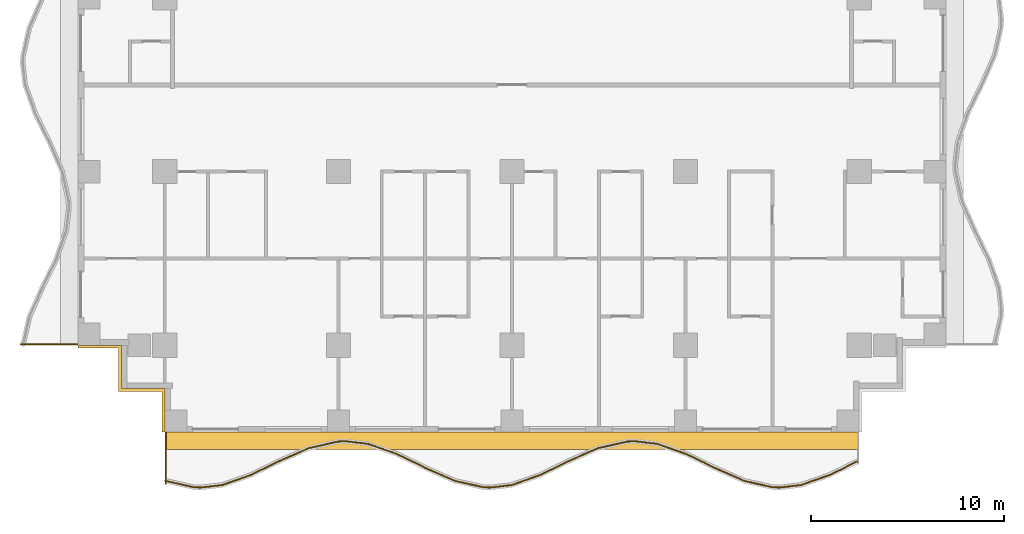
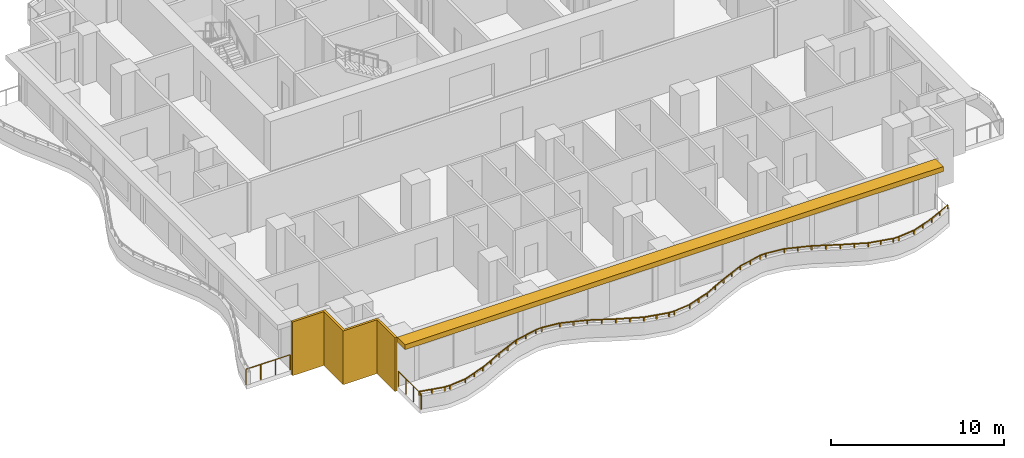
# One storey, part 7 of 10: 3 railings, 2 shading devices.
"""IFC4 building model written with IfcOpenShell, lengths in metres."""

from ifc_helpers import new_model, si_unit, direction, frame, origin, origin_2d, place, context, subcontext, project, spatial, polyline, rectangle, outline, extrude, material, layer, layer_set, type_object, element, save


model = new_model("IFC4")

# Units and contexts
model_context = context("Model", 3, precision=1e-05, world=origin(), true_north=direction((0.0, 1.0)))
body_context = subcontext(model_context, "Body", "Model", "MODEL_VIEW")
ifc_project = project(units=[si_unit("LENGTHUNIT", "METRE"), si_unit("AREAUNIT", "SQUARE_METRE"), si_unit("VOLUMEUNIT", "CUBIC_METRE"), si_unit("PLANEANGLEUNIT", "RADIAN"), si_unit("MASSUNIT", "GRAM", prefix="KILO")], contexts=[model_context])

# Site, building, storey
site_placement = place(None, origin())
site = spatial("IfcSite", under=ifc_project, at=site_placement, CompositionType="ELEMENT")
building_placement = place(site_placement, origin())
building = spatial("IfcBuilding", under=site, at=building_placement, Name="Orbiselva Terraces", CompositionType="ELEMENT")
storey_placement = place(building_placement, frame((0.0, 0.0, 147.8)))
storey = spatial("IfcBuildingStorey", under=building, at=storey_placement, Name="L37", CompositionType="ELEMENT", Elevation=147.8)

# Railings
ifc_material_1 = material(Name="Bonded two-ply safety glass balustrade, stainless steel posts", Category="steel")
railing_type_1 = type_object("IfcRailingType", Name="ENV-BALUSTRADE-1200", PredefinedType="BALUSTRADE", material=ifc_material_1)
railing_1_placement = place(storey_placement, frame((-17.972623, -20.526563, 0.9)))
element("IfcRailing", 1, at=railing_1_placement, inside=storey, type_object=railing_type_1, Name="Balcony balustrade L37 S", PredefinedType="BALUSTRADE", context=body_context, shape_type="SweptSolid", body=[
    extrude(outline(polyline([(0.028868, 0.0), (0.014434, 0.025), (-0.014434, 0.025), (-0.028868, 0.0), (-0.014434, -0.025), (0.014434, -0.025), (0.028868, 0.0)])), frame((0.0, 0.0, 0.275), z_axis=(0.975721322437, -0.21901575501, 0.0), x_axis=(0.21901575501, 0.975721322437, 0.0)), (0.0, 0.0, 1.0), 1.525954),
    extrude(outline(polyline([(0.028868, 0.0), (0.014434, 0.025), (-0.014434, 0.025), (-0.028868, 0.0), (-0.014434, -0.025), (0.014434, -0.025), (0.028868, 0.0)])), frame((1.488906, -0.334208, 0.275), z_axis=(0.999224931454, -0.039364150694, 0.0), x_axis=(0.039364150694, 0.999224931454, 0.0)), (0.0, 0.0, 1.0), 0.354206),
    extrude(outline(polyline([(0.028868, 0.0), (0.014434, 0.025), (-0.014434, 0.025), (-0.028868, 0.0), (-0.014434, -0.025), (0.014434, -0.025), (0.028868, 0.0)])), frame((1.842837, -0.348151, 0.275), z_axis=(0.993309658409, 0.115481264762, 0.0), x_axis=(-0.115481264762, 0.993309658409, 0.0)), (0.0, 0.0, 1.0), 1.10902),
    extrude(outline(polyline([(0.028868, 0.0), (0.014434, 0.025), (-0.014434, 0.025), (-0.028868, 0.0), (-0.014434, -0.025), (0.014434, -0.025), (0.028868, 0.0)])), frame((2.944437, -0.22008, 0.275), z_axis=(0.943972277814, 0.330024754707, 0.0), x_axis=(-0.330024754707, 0.943972277814, 0.0)), (0.0, 0.0, 1.0), 1.567807),
    extrude(outline(polyline([(0.028868, 0.0), (0.014434, 0.025), (-0.014434, 0.025), (-0.028868, 0.0), (-0.014434, -0.025), (0.014434, -0.025), (0.028868, 0.0)])), frame((4.424403, 0.297335, 0.275), z_axis=(0.89857890432, 0.438811978768, 0.0), x_axis=(-0.438811978768, 0.89857890432, 0.0)), (0.0, 0.0, 1.0), 1.66438),
    extrude(outline(polyline([(0.028868, 0.0), (0.014434, 0.025), (-0.014434, 0.025), (-0.028868, 0.0), (-0.014434, -0.025), (0.014434, -0.025), (0.028868, 0.0)])), frame((5.91998, 1.027685, 0.275), z_axis=(0.915133527237, 0.403150874148, 0.0), x_axis=(-0.403150874148, 0.915133527237, 0.0)), (0.0, 0.0, 1.0), 1.653736),
    extrude(outline(polyline([(0.028868, 0.0), (0.014434, 0.025), (-0.014434, 0.025), (-0.028868, 0.0), (-0.014434, -0.025), (0.014434, -0.025), (0.028868, 0.0)])), frame((7.433369, 1.69439, 0.275), z_axis=(0.97572137947, 0.219015500924, 0.0), x_axis=(-0.219015500924, 0.97572137947, 0.0)), (0.0, 0.0, 1.0), 1.560867),
    extrude(outline(polyline([(0.028868, 0.0), (0.014434, 0.025), (-0.014434, 0.025), (-0.028868, 0.0), (-0.014434, -0.025), (0.014434, -0.025), (0.028868, 0.0)])), frame((8.95634, 2.036244, 0.275), z_axis=(0.999224734286, 0.03936915532, 0.0), x_axis=(-0.03936915532, 0.999224734286, 0.0)), (0.0, 0.0, 1.0), 0.396376),
    extrude(outline(polyline([(0.028868, 0.0), (0.014434, 0.025), (-0.014434, 0.025), (-0.028868, 0.0), (-0.014434, -0.025), (0.014434, -0.025), (0.028868, 0.0)])), frame((9.352409, 2.051849, 0.275), z_axis=(0.993309551734, -0.115482182324, 0.0), x_axis=(0.115482182324, 0.993309551734, 0.0)), (0.0, 0.0, 1.0), 1.156135),
    extrude(outline(polyline([(0.028868, 0.0), (0.014434, 0.025), (-0.014434, 0.025), (-0.028868, 0.0), (-0.014434, -0.025), (0.014434, -0.025), (0.028868, 0.0)])), frame((10.500809, 1.918336, 0.275), z_axis=(0.943972332783, -0.330024597479, 0.0), x_axis=(0.330024597479, 0.943972332783, 0.0)), (0.0, 0.0, 1.0), 1.610253),
    extrude(outline(polyline([(0.028868, 0.0), (0.014434, 0.025), (-0.014434, 0.025), (-0.028868, 0.0), (-0.014434, -0.025), (0.014434, -0.025), (0.028868, 0.0)])), frame((12.020843, 1.386913, 0.275), z_axis=(0.898578870221, -0.438812048596, 0.0), x_axis=(0.438812048596, 0.898578870221, 0.0)), (0.0, 0.0, 1.0), 1.674225),
    extrude(outline(polyline([(0.028868, 0.0), (0.014434, 0.025), (-0.014434, 0.025), (-0.028868, 0.0), (-0.014434, -0.025), (0.014434, -0.025), (0.028868, 0.0)])), frame((13.525266, 0.652243, 0.275), z_axis=(0.915133363686, -0.403151245402, 0.0), x_axis=(0.403151245402, 0.915133363686, 0.0)), (0.0, 0.0, 1.0), 1.624475),
    extrude(outline(polyline([(0.028868, 0.0), (0.014434, 0.025), (-0.014434, 0.025), (-0.028868, 0.0), (-0.014434, -0.025), (0.014434, -0.025), (0.028868, 0.0)])), frame((15.011877, -0.002666, 0.275), z_axis=(0.975721325753, -0.219015740235, 0.0), x_axis=(0.219015740235, 0.975721325753, 0.0)), (0.0, 0.0, 1.0), 1.513782),
    extrude(outline(polyline([(0.028868, 0.0), (0.014434, 0.025), (-0.014434, 0.025), (-0.028868, 0.0), (-0.014434, -0.025), (0.014434, -0.025), (0.028868, 0.0)])), frame((16.488906, -0.334208, 0.275), z_axis=(0.999224931454, -0.039364150694, 0.0), x_axis=(0.039364150694, 0.999224931454, 0.0)), (0.0, 0.0, 1.0), 0.354206),
    extrude(outline(polyline([(0.028868, 0.0), (0.014434, 0.025), (-0.014434, 0.025), (-0.028868, 0.0), (-0.014434, -0.025), (0.014434, -0.025), (0.028868, 0.0)])), frame((16.842837, -0.348151, 0.275), z_axis=(0.993309658409, 0.115481264762, 0.0), x_axis=(-0.115481264762, 0.993309658409, 0.0)), (0.0, 0.0, 1.0), 1.10902),
    extrude(outline(polyline([(0.028868, 0.0), (0.014434, 0.025), (-0.014434, 0.025), (-0.028868, 0.0), (-0.014434, -0.025), (0.014434, -0.025), (0.028868, 0.0)])), frame((17.944437, -0.22008, 0.275), z_axis=(0.943972277814, 0.330024754707, 0.0), x_axis=(-0.330024754707, 0.943972277814, 0.0)), (0.0, 0.0, 1.0), 1.567807),
    extrude(outline(polyline([(0.028868, 0.0), (0.014434, 0.025), (-0.014434, 0.025), (-0.028868, 0.0), (-0.014434, -0.025), (0.014434, -0.025), (0.028868, 0.0)])), frame((19.424403, 0.297335, 0.275), z_axis=(0.89857890432, 0.438811978768, 0.0), x_axis=(-0.438811978768, 0.89857890432, 0.0)), (0.0, 0.0, 1.0), 1.66438),
    extrude(outline(polyline([(0.028868, 0.0), (0.014434, 0.025), (-0.014434, 0.025), (-0.028868, 0.0), (-0.014434, -0.025), (0.014434, -0.025), (0.028868, 0.0)])), frame((20.91998, 1.027685, 0.275), z_axis=(0.915133527237, 0.403150874148, 0.0), x_axis=(-0.403150874148, 0.915133527237, 0.0)), (0.0, 0.0, 1.0), 1.653736),
    extrude(outline(polyline([(0.028868, 0.0), (0.014434, 0.025), (-0.014434, 0.025), (-0.028868, 0.0), (-0.014434, -0.025), (0.014434, -0.025), (0.028868, 0.0)])), frame((22.433369, 1.69439, 0.275), z_axis=(0.97572137947, 0.219015500924, 0.0), x_axis=(-0.219015500924, 0.97572137947, 0.0)), (0.0, 0.0, 1.0), 1.560867),
    extrude(outline(polyline([(0.028868, 0.0), (0.014434, 0.025), (-0.014434, 0.025), (-0.028868, 0.0), (-0.014434, -0.025), (0.014434, -0.025), (0.028868, 0.0)])), frame((23.95634, 2.036244, 0.275), z_axis=(0.999224734286, 0.03936915532, 0.0), x_axis=(-0.03936915532, 0.999224734286, 0.0)), (0.0, 0.0, 1.0), 0.396376),
    extrude(outline(polyline([(0.028868, 0.0), (0.014434, 0.025), (-0.014434, 0.025), (-0.028868, 0.0), (-0.014434, -0.025), (0.014434, -0.025), (0.028868, 0.0)])), frame((24.352409, 2.051849, 0.275), z_axis=(0.993309551734, -0.115482182324, 0.0), x_axis=(0.115482182324, 0.993309551734, 0.0)), (0.0, 0.0, 1.0), 1.156135),
    extrude(outline(polyline([(0.028868, 0.0), (0.014434, 0.025), (-0.014434, 0.025), (-0.028868, 0.0), (-0.014434, -0.025), (0.014434, -0.025), (0.028868, 0.0)])), frame((25.500809, 1.918336, 0.275), z_axis=(0.943972332783, -0.330024597479, 0.0), x_axis=(0.330024597479, 0.943972332783, 0.0)), (0.0, 0.0, 1.0), 1.610253),
    extrude(outline(polyline([(0.028868, 0.0), (0.014434, 0.025), (-0.014434, 0.025), (-0.028868, 0.0), (-0.014434, -0.025), (0.014434, -0.025), (0.028868, 0.0)])), frame((27.020843, 1.386913, 0.275), z_axis=(0.898578870221, -0.438812048596, 0.0), x_axis=(0.438812048596, 0.898578870221, 0.0)), (0.0, 0.0, 1.0), 1.674225),
    extrude(outline(polyline([(0.028868, 0.0), (0.014434, 0.025), (-0.014434, 0.025), (-0.028868, 0.0), (-0.014434, -0.025), (0.014434, -0.025), (0.028868, 0.0)])), frame((28.525266, 0.652243, 0.275), z_axis=(0.915133363686, -0.403151245402, 0.0), x_axis=(0.403151245402, 0.915133363686, 0.0)), (0.0, 0.0, 1.0), 1.624475),
    extrude(outline(polyline([(0.028868, 0.0), (0.014434, 0.025), (-0.014434, 0.025), (-0.028868, 0.0), (-0.014434, -0.025), (0.014434, -0.025), (0.028868, 0.0)])), frame((30.011877, -0.002666, 0.275), z_axis=(0.975721325753, -0.219015740235, 0.0), x_axis=(0.219015740235, 0.975721325753, 0.0)), (0.0, 0.0, 1.0), 1.513782),
    extrude(outline(polyline([(0.028868, 0.0), (0.014434, 0.025), (-0.014434, 0.025), (-0.028868, 0.0), (-0.014434, -0.025), (0.014434, -0.025), (0.028868, 0.0)])), frame((31.488906, -0.334208, 0.275), z_axis=(0.999224931454, -0.039364150694, 0.0), x_axis=(0.039364150694, 0.999224931454, 0.0)), (0.0, 0.0, 1.0), 0.354206),
    extrude(outline(polyline([(0.028868, 0.0), (0.014434, 0.025), (-0.014434, 0.025), (-0.028868, 0.0), (-0.014434, -0.025), (0.014434, -0.025), (0.028868, 0.0)])), frame((31.842837, -0.348151, 0.275), z_axis=(0.993309658409, 0.115481264762, 0.0), x_axis=(-0.115481264762, 0.993309658409, 0.0)), (0.0, 0.0, 1.0), 1.10902),
    extrude(outline(polyline([(0.028868, 0.0), (0.014434, 0.025), (-0.014434, 0.025), (-0.028868, 0.0), (-0.014434, -0.025), (0.014434, -0.025), (0.028868, 0.0)])), frame((32.944437, -0.22008, 0.275), z_axis=(0.943972277814, 0.330024754707, 0.0), x_axis=(-0.330024754707, 0.943972277814, 0.0)), (0.0, 0.0, 1.0), 1.567807),
    extrude(outline(polyline([(0.028868, 0.0), (0.014434, 0.025), (-0.014434, 0.025), (-0.028868, 0.0), (-0.014434, -0.025), (0.014434, -0.025), (0.028868, 0.0)])), frame((34.424403, 0.297335, 0.275), z_axis=(0.898578965307, 0.438811853882, 0.0), x_axis=(-0.438811853882, 0.898578965307, 0.0)), (0.0, 0.0, 1.0), 1.661922),
    extrude(rectangle(XDim=0.05, YDim=0.05, at=origin_2d()), origin(), (0.0, 0.0, 1.0), 0.25),
    extrude(rectangle(XDim=0.05, YDim=0.05, at=origin_2d()), frame((0.744453, -0.167104, 0.0)), (0.0, 0.0, 1.0), 0.25),
    extrude(rectangle(XDim=0.05, YDim=0.05, at=origin_2d()), frame((1.488906, -0.334208, 0.0)), (0.0, 0.0, 1.0), 0.25),
    extrude(rectangle(XDim=0.05, YDim=0.05, at=origin_2d()), frame((1.842837, -0.348151, 0.0)), (0.0, 0.0, 1.0), 0.25),
    extrude(rectangle(XDim=0.05, YDim=0.05, at=origin_2d()), frame((2.944437, -0.22008, 0.0)), (0.0, 0.0, 1.0), 0.25),
    extrude(rectangle(XDim=0.05, YDim=0.05, at=origin_2d()), frame((3.68442, 0.038628, 0.0)), (0.0, 0.0, 1.0), 0.25),
    extrude(rectangle(XDim=0.05, YDim=0.05, at=origin_2d()), frame((4.424403, 0.297335, 0.0)), (0.0, 0.0, 1.0), 0.25),
    extrude(rectangle(XDim=0.05, YDim=0.05, at=origin_2d()), frame((5.172191, 0.66251, 0.0)), (0.0, 0.0, 1.0), 0.25),
    extrude(rectangle(XDim=0.05, YDim=0.05, at=origin_2d()), frame((5.91998, 1.027685, 0.0)), (0.0, 0.0, 1.0), 0.25),
    extrude(rectangle(XDim=0.05, YDim=0.05, at=origin_2d()), frame((6.676674, 1.361037, 0.0)), (0.0, 0.0, 1.0), 0.25),
    extrude(rectangle(XDim=0.05, YDim=0.05, at=origin_2d()), frame((7.433369, 1.69439, 0.0)), (0.0, 0.0, 1.0), 0.25),
    extrude(rectangle(XDim=0.05, YDim=0.05, at=origin_2d()), frame((8.194854, 1.865317, 0.0)), (0.0, 0.0, 1.0), 0.25),
    extrude(rectangle(XDim=0.05, YDim=0.05, at=origin_2d()), frame((8.95634, 2.036244, 0.0)), (0.0, 0.0, 1.0), 0.25),
    extrude(rectangle(XDim=0.05, YDim=0.05, at=origin_2d()), frame((9.352409, 2.051849, 0.0)), (0.0, 0.0, 1.0), 0.25),
    extrude(rectangle(XDim=0.05, YDim=0.05, at=origin_2d()), frame((10.500809, 1.918336, 0.0)), (0.0, 0.0, 1.0), 0.25),
    extrude(rectangle(XDim=0.05, YDim=0.05, at=origin_2d()), frame((11.260826, 1.652624, 0.0)), (0.0, 0.0, 1.0), 0.25),
    extrude(rectangle(XDim=0.05, YDim=0.05, at=origin_2d()), frame((12.020843, 1.386913, 0.0)), (0.0, 0.0, 1.0), 0.25),
    extrude(rectangle(XDim=0.05, YDim=0.05, at=origin_2d()), frame((12.773054, 1.019578, 0.0)), (0.0, 0.0, 1.0), 0.25),
    extrude(rectangle(XDim=0.05, YDim=0.05, at=origin_2d()), frame((13.525266, 0.652243, 0.0)), (0.0, 0.0, 1.0), 0.25),
    extrude(rectangle(XDim=0.05, YDim=0.05, at=origin_2d()), frame((14.268571, 0.324788, 0.0)), (0.0, 0.0, 1.0), 0.25),
    extrude(rectangle(XDim=0.05, YDim=0.05, at=origin_2d()), frame((15.011877, -0.002666, 0.0)), (0.0, 0.0, 1.0), 0.25),
    extrude(rectangle(XDim=0.05, YDim=0.05, at=origin_2d()), frame((15.750392, -0.168437, 0.0)), (0.0, 0.0, 1.0), 0.25),
    extrude(rectangle(XDim=0.05, YDim=0.05, at=origin_2d()), frame((16.488906, -0.334208, 0.0)), (0.0, 0.0, 1.0), 0.25),
    extrude(rectangle(XDim=0.05, YDim=0.05, at=origin_2d()), frame((16.842837, -0.348151, 0.0)), (0.0, 0.0, 1.0), 0.25),
    extrude(rectangle(XDim=0.05, YDim=0.05, at=origin_2d()), frame((17.944437, -0.22008, 0.0)), (0.0, 0.0, 1.0), 0.25),
    extrude(rectangle(XDim=0.05, YDim=0.05, at=origin_2d()), frame((18.68442, 0.038628, 0.0)), (0.0, 0.0, 1.0), 0.25),
    extrude(rectangle(XDim=0.05, YDim=0.05, at=origin_2d()), frame((19.424403, 0.297335, 0.0)), (0.0, 0.0, 1.0), 0.25),
    extrude(rectangle(XDim=0.05, YDim=0.05, at=origin_2d()), frame((20.172191, 0.66251, 0.0)), (0.0, 0.0, 1.0), 0.25),
    extrude(rectangle(XDim=0.05, YDim=0.05, at=origin_2d()), frame((20.91998, 1.027685, 0.0)), (0.0, 0.0, 1.0), 0.25),
    extrude(rectangle(XDim=0.05, YDim=0.05, at=origin_2d()), frame((21.676674, 1.361037, 0.0)), (0.0, 0.0, 1.0), 0.25),
    extrude(rectangle(XDim=0.05, YDim=0.05, at=origin_2d()), frame((22.433369, 1.69439, 0.0)), (0.0, 0.0, 1.0), 0.25),
    extrude(rectangle(XDim=0.05, YDim=0.05, at=origin_2d()), frame((23.194854, 1.865317, 0.0)), (0.0, 0.0, 1.0), 0.25),
    extrude(rectangle(XDim=0.05, YDim=0.05, at=origin_2d()), frame((23.95634, 2.036244, 0.0)), (0.0, 0.0, 1.0), 0.25),
    extrude(rectangle(XDim=0.05, YDim=0.05, at=origin_2d()), frame((24.352409, 2.051849, 0.0)), (0.0, 0.0, 1.0), 0.25),
    extrude(rectangle(XDim=0.05, YDim=0.05, at=origin_2d()), frame((25.500809, 1.918336, 0.0)), (0.0, 0.0, 1.0), 0.25),
    extrude(rectangle(XDim=0.05, YDim=0.05, at=origin_2d()), frame((26.260826, 1.652624, 0.0)), (0.0, 0.0, 1.0), 0.25),
    extrude(rectangle(XDim=0.05, YDim=0.05, at=origin_2d()), frame((27.020843, 1.386913, 0.0)), (0.0, 0.0, 1.0), 0.25),
    extrude(rectangle(XDim=0.05, YDim=0.05, at=origin_2d()), frame((27.773054, 1.019578, 0.0)), (0.0, 0.0, 1.0), 0.25),
    extrude(rectangle(XDim=0.05, YDim=0.05, at=origin_2d()), frame((28.525266, 0.652243, 0.0)), (0.0, 0.0, 1.0), 0.25),
    extrude(rectangle(XDim=0.05, YDim=0.05, at=origin_2d()), frame((29.268572, 0.324788, 0.0)), (0.0, 0.0, 1.0), 0.25),
    extrude(rectangle(XDim=0.05, YDim=0.05, at=origin_2d()), frame((30.011877, -0.002666, 0.0)), (0.0, 0.0, 1.0), 0.25),
    extrude(rectangle(XDim=0.05, YDim=0.05, at=origin_2d()), frame((30.750392, -0.168437, 0.0)), (0.0, 0.0, 1.0), 0.25),
    extrude(rectangle(XDim=0.05, YDim=0.05, at=origin_2d()), frame((31.488906, -0.334208, 0.0)), (0.0, 0.0, 1.0), 0.25),
    extrude(rectangle(XDim=0.05, YDim=0.05, at=origin_2d()), frame((31.842837, -0.348151, 0.0)), (0.0, 0.0, 1.0), 0.25),
    extrude(rectangle(XDim=0.05, YDim=0.05, at=origin_2d()), frame((32.944437, -0.22008, 0.0)), (0.0, 0.0, 1.0), 0.25),
    extrude(rectangle(XDim=0.05, YDim=0.05, at=origin_2d()), frame((33.68442, 0.038628, 0.0)), (0.0, 0.0, 1.0), 0.25),
    extrude(rectangle(XDim=0.05, YDim=0.05, at=origin_2d()), frame((34.424403, 0.297335, 0.0)), (0.0, 0.0, 1.0), 0.25),
    extrude(rectangle(XDim=0.05, YDim=0.05, at=origin_2d()), frame((35.171087, 0.661971, 0.0)), (0.0, 0.0, 1.0), 0.25),
    extrude(rectangle(XDim=0.05, YDim=0.05, at=origin_2d()), frame((35.917771, 1.026606, 0.0)), (0.0, 0.0, 1.0), 0.25),
])
ifc_material_2 = material(Name="Stainless steel rail and posts", Category="steel")
railing_type_2 = type_object("IfcRailingType", Name="ENV-GUARD-1105", PredefinedType="BALUSTRADE", material=ifc_material_2)
railing_2_placement = place(storey_placement, frame((-17.94, -20.669584, 0.0)))
element("IfcRailing", 2, at=railing_2_placement, inside=storey, type_object=railing_type_2, Name="Balcony end guard L37 S", PredefinedType="BALUSTRADE", context=body_context, shape_type="SweptSolid", body=[
    extrude(outline(polyline([(0.028868, 0.0), (0.014434, 0.025), (-0.014434, 0.025), (-0.028868, 0.0), (-0.014434, -0.025), (0.014434, -0.025), (0.028868, 0.0)])), frame((0.0, 0.0, 1.08), z_axis=(0.0, 1.0, 0.0), x_axis=(-1.0, 0.0, 0.0)), (0.0, 0.0, 1.0), 2.644584),
    extrude(rectangle(XDim=0.05, YDim=0.05, at=origin_2d()), origin(), (0.0, 0.0, 1.0), 1.055),
    extrude(rectangle(XDim=0.05, YDim=0.05, at=origin_2d()), frame((0.0, 0.881528, 0.0)), (0.0, 0.0, 1.0), 1.055),
    extrude(rectangle(XDim=0.05, YDim=0.05, at=origin_2d()), frame((0.0, 1.763056, 0.0)), (0.0, 0.0, 1.0), 1.055),
    extrude(rectangle(XDim=0.05, YDim=0.05, at=origin_2d()), frame((0.0, 2.644584, 0.0)), (0.0, 0.0, 1.0), 1.055),
])
railing_3_placement = place(storey_placement, frame((-25.480134, -13.44, 0.0)))
element("IfcRailing", 3, at=railing_3_placement, inside=storey, type_object=railing_type_2, Name="Balcony end guard L37 W", PredefinedType="BALUSTRADE", context=body_context, shape_type="SweptSolid", body=[
    extrude(outline(polyline([(0.028868, 0.0), (0.014434, 0.025), (-0.014434, 0.025), (-0.028868, 0.0), (-0.014434, -0.025), (0.014434, -0.025), (0.028868, 0.0)])), frame((0.0, 0.0, 1.08), z_axis=(1.0, 0.0, 0.0), x_axis=(0.0, 1.0, 0.0)), (0.0, 0.0, 1.0), 2.955134),
    extrude(rectangle(XDim=0.05, YDim=0.05, at=origin_2d()), origin(), (0.0, 0.0, 1.0), 1.055),
    extrude(rectangle(XDim=0.05, YDim=0.05, at=origin_2d()), frame((0.985045, 0.0, 0.0)), (0.0, 0.0, 1.0), 1.055),
    extrude(rectangle(XDim=0.05, YDim=0.05, at=origin_2d()), frame((1.970089, 0.0, 0.0)), (0.0, 0.0, 1.0), 1.055),
    extrude(rectangle(XDim=0.05, YDim=0.05, at=origin_2d()), frame((2.955134, 0.0, 0.0)), (0.0, 0.0, 1.0), 1.055),
])

# Shading devices
ifc_material_3 = material(Name="Terracotta louvre screen", Category="masonry")
ifc_layer_1 = layer(ifc_material_3, 0.15)
ifc_layer_set_1 = layer_set([ifc_layer_1], Name="Terracotta louvre screen")
shading_device_type_1 = type_object("IfcShadingDeviceType", Name="ENV-SCREEN-150", PredefinedType="USERDEFINED", material=ifc_layer_set_1)
shading_device_1_placement = place(storey_placement, frame((0.0, 0.0, -0.3)))
element("IfcShadingDevice", 4, at=shading_device_1_placement, inside=storey, type_object=shading_device_type_1, Name="Louvre screen L37 SW", ObjectType="SCREEN", PredefinedType="USERDEFINED", context=body_context, shape_type="SweptSolid", body=[
    extrude(outline(polyline([(-22.5, -13.65), (-20.4, -13.65), (-20.4, -15.9), (-18.15, -15.9), (-18.15, -18.0), (-18.0, -18.0), (-18.0, -15.75), (-20.25, -15.75), (-20.25, -13.5), (-22.5, -13.5), (-22.5, -13.65)])), origin(), (0.0, 0.0, 1.0), 3.8),
])
ifc_material_4 = material(Name="Terracotta baguette sunshade", Category="masonry")
ifc_layer_2 = layer(ifc_material_4, 0.35)
ifc_layer_set_2 = layer_set([ifc_layer_2], Name="Terracotta baguette sunshade")
shading_device_type_2 = type_object("IfcShadingDeviceType", Name="ENV-SUNSHADE-900x350", PredefinedType="USERDEFINED", material=ifc_layer_set_2)
shading_device_2_placement = place(storey_placement, frame((0.0, 0.0, 3.15)))
element("IfcShadingDevice", 5, at=shading_device_2_placement, inside=storey, type_object=shading_device_type_2, Name="Sunshade band L37 S", ObjectType="SUNSHADE", PredefinedType="USERDEFINED", context=body_context, shape_type="SweptSolid", body=[
    extrude(outline(polyline([(-18.0, -18.9), (18.0, -18.9), (18.0, -18.0), (-18.0, -18.0), (-18.0, -18.9)])), origin(), (0.0, 0.0, 1.0), 0.35),
])

save(model, "model.ifc")
